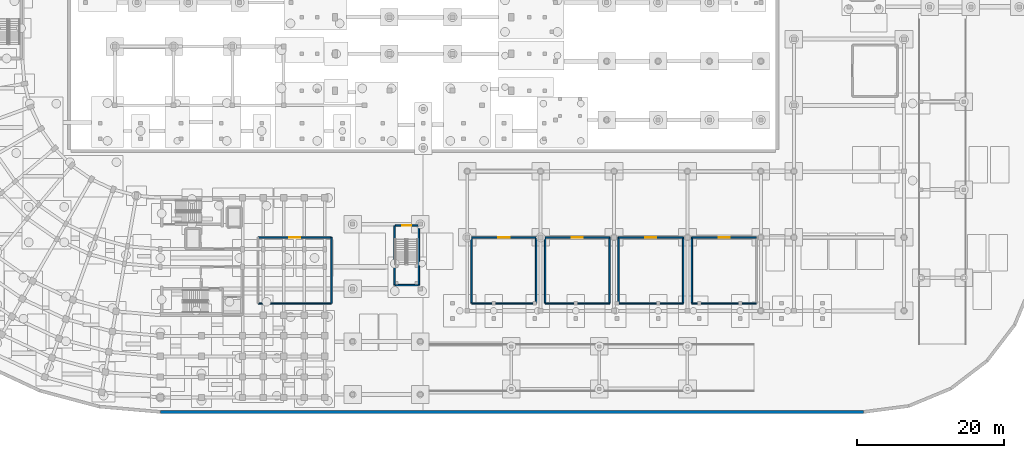
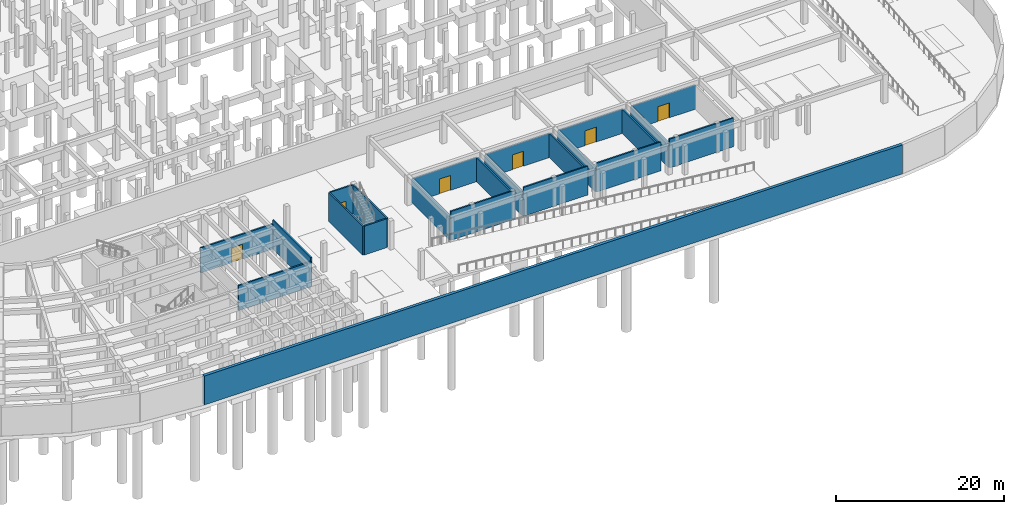
# One storey, part 31 of 53: 23 walls, 6 doors, 6 openings.
"""IFC4 building model written with IfcOpenShell, lengths in metres."""

from ifc_helpers import new_model, si_unit, direction, frame, frame_2d, origin, place, context, subcontext, project, spatial, rectangle, extrude, material, layer, layer_set, type_object, element, fill, save


model = new_model("IFC4")

# Units and contexts
model_context = context("Model", 3, precision=1e-05, world=origin(), true_north=direction((0.0, 1.0)))
body_context = subcontext(model_context, "Body", "Model", "MODEL_VIEW")
ifc_project = project(units=[si_unit("LENGTHUNIT", "METRE"), si_unit("AREAUNIT", "SQUARE_METRE"), si_unit("VOLUMEUNIT", "CUBIC_METRE"), si_unit("PLANEANGLEUNIT", "RADIAN"), si_unit("MASSUNIT", "GRAM", prefix="KILO")], contexts=[model_context])

# Site, building, storey
site_placement = place(None, origin())
site = spatial("IfcSite", under=ifc_project, at=site_placement, CompositionType="ELEMENT")
building_placement = place(site_placement, origin())
building = spatial("IfcBuilding", under=site, at=building_placement, Name="Kiranvali Square Residences", CompositionType="ELEMENT")
storey_placement = place(building_placement, frame((0.0, 0.0, -4.5)))
storey = spatial("IfcBuildingStorey", under=building, at=storey_placement, Name="B1", CompositionType="ELEMENT", Elevation=-4.5)

# Walls
ifc_material_1 = material(Name="Concrete M40 (40 MPa)", Category="concrete")
ifc_layer_1 = layer(ifc_material_1, 0.39990234375)
ifc_layer_set_1 = layer_set([ifc_layer_1], Name="Concrete M40 (40 MPa)")
wall_type_1 = type_object("IfcWallType", Name="WL-RET-400", PredefinedType="USERDEFINED", material=ifc_layer_set_1)
wall_1_placement = place(storey_placement, frame((48.22802734375, 0.219970703125, 0.0), z_axis=(0.0, 0.0, 1.0), x_axis=(1.0, 0.0, 0.0)))
element("IfcWall", 1, at=wall_1_placement, inside=storey, type_object=wall_type_1, Name="Shaped street-perimeter basement retaining wall 10", ObjectType="RETAINING WALL", PredefinedType="USERDEFINED", context=body_context, shape_type="SweptSolid", body=[
    extrude(rectangle(XDim=95.743896484375, YDim=0.39990234375, at=frame_2d((47.8720703125, 0.0))), origin(), (0.0, 0.0, 1.0), 4.199951171875),
])
ifc_material_2 = material(Name="Autoclaved aerated concrete blockwork masonry", Category="masonry")
ifc_layer_2 = layer(ifc_material_2, 0.199951171875)
ifc_layer_set_2 = layer_set([ifc_layer_2], Name="Autoclaved aerated concrete blockwork masonry")
wall_type_2 = type_object("IfcWallType", Name="WL-SHF-200", PredefinedType="STANDARD", material=ifc_layer_set_2)
wall_2_placement = place(storey_placement, frame((80.199951171875, 17.5, 0.0), z_axis=(0.0, 0.0, 1.0), x_axis=(1.0, 0.0, 0.0)))
element("IfcWall", 2, at=wall_2_placement, inside=storey, type_object=wall_type_2, Name="B1 architectural wall WL-B1-ST-P1-S", PredefinedType="STANDARD", context=body_context, shape_type="SweptSolid", body=[
    extrude(rectangle(XDim=3.10009765625, YDim=0.199951171875, at=frame_2d((1.550048828125, 0.0))), origin(), (0.0, 0.0, 1.0), 4.179931640625),
])
wall_3_placement = place(storey_placement, frame((83.39990234375, 17.5, 0.0), z_axis=(0.0, 0.0, 1.0), x_axis=(0.0, 1.0, 0.0)))
element("IfcWall", 3, at=wall_3_placement, inside=storey, type_object=wall_type_2, Name="B1 architectural wall WL-B1-ST-P1-E", PredefinedType="STANDARD", context=body_context, shape_type="SweptSolid", body=[
    extrude(rectangle(XDim=8.10009765625, YDim=0.199951171875, at=frame_2d((4.050048828125, 0.0))), origin(), (0.0, 0.0, 1.0), 4.179931640625),
])

# Wall, opening, door
wall_4_placement = place(storey_placement, frame((80.199951171875, 25.60009765625, 0.0), z_axis=(0.0, 0.0, 1.0), x_axis=(1.0, 0.0, 0.0)))
wall_4 = element("IfcWall", 4, at=wall_4_placement, inside=storey, type_object=wall_type_2, Name="B1 architectural wall WL-B1-ST-P1-N", PredefinedType="STANDARD", context=body_context, shape_type="SweptSolid", body=[
    extrude(rectangle(XDim=3.10009765625, YDim=0.199951171875, at=frame_2d((1.550048828125, 0.0))), origin(), (0.0, 0.0, 1.0), 4.179931640625),
])
opening_1_placement = place(wall_4_placement, frame((0.929931640625, 0.0, 0.0)))
opening_1 = element("IfcOpeningElement", 5, at=opening_1_placement, cuts=wall_4, Name="Opening FD-ST-120", PredefinedType="OPENING", context=body_context, shape_type="SweptSolid", body=[
    extrude(rectangle(XDim=1.239990234375, YDim=2.14990234375, at=frame_2d((0.6201171875, 1.074951171875))), frame((0.0, 0.10986328125, 0.0), z_axis=(0.0, -1.0, 0.0), x_axis=(1.0, 0.0, 0.0)), (0.0, 0.0, 1.0), 0.219970703125),
])
ifc_material_3 = material(Name="Fire-rated acoustic hardwood and mineral-core door assembly", Category="wood")
door_type_1 = type_object("IfcDoorType", Name="DR-FD120-1200", OperationType="NOTDEFINED", PredefinedType="DOOR", material=ifc_material_3)
door_1_placement = place(opening_1_placement, origin())
door_1 = element("IfcDoor", 6, at=door_1_placement, inside=storey, type_object=door_type_1, Name="B1 door DR-B1-0031 (DR-FD120-1200)", OperationType="SINGLE_SWING_LEFT", OverallHeight=2.14990234375, OverallWidth=1.239990234375, PredefinedType="DOOR", context=body_context, shape_type="SweptSolid", body=[
    extrude(rectangle(XDim=1.239990234375, YDim=2.14990234375, at=frame_2d((0.6201171875, 1.074951171875))), frame((0.0, 0.02490234375, 0.0), z_axis=(0.0, -1.0, 0.0), x_axis=(1.0, 0.0, 0.0)), (0.0, 0.0, 1.0), 0.050048828125),
])
fill(opening_1, door_1)

# Walls
wall_5_placement = place(storey_placement, frame((80.10009765625, 17.5, 0.0), z_axis=(0.0, 0.0, 1.0), x_axis=(0.0, 1.0, 0.0)))
element("IfcWall", 7, at=wall_5_placement, inside=storey, type_object=wall_type_2, Name="B1 architectural wall WL-B1-ST-P1-W", PredefinedType="STANDARD", context=body_context, shape_type="SweptSolid", body=[
    extrude(rectangle(XDim=8.10009765625, YDim=0.199951171875, at=frame_2d((4.050048828125, 0.0))), origin(), (0.0, 0.0, 1.0), 4.179931640625),
])
wall_6_placement = place(storey_placement, frame((61.5, 15.0, 0.0), z_axis=(0.0, 0.0, 1.0), x_axis=(1.0, 0.0, 0.0)))
element("IfcWall", 8, at=wall_6_placement, inside=storey, type_object=wall_type_2, Name="B1 architectural wall WL-B1-WTP-S", PredefinedType="STANDARD", context=body_context, shape_type="SweptSolid", body=[
    extrude(rectangle(XDim=10.0, YDim=0.199951171875, at=frame_2d((5.0, 0.0))), origin(), (0.0, 0.0, 1.0), 3.6220703125),
])
wall_7_placement = place(storey_placement, frame((71.5, 15.0, 0.0), z_axis=(0.0, 0.0, 1.0), x_axis=(0.0, 1.0, 0.0)))
element("IfcWall", 9, at=wall_7_placement, inside=storey, type_object=wall_type_2, Name="B1 architectural wall WL-B1-WTP-E", PredefinedType="STANDARD", context=body_context, shape_type="SweptSolid", body=[
    extrude(rectangle(XDim=9.0, YDim=0.199951171875, at=frame_2d((4.5, 0.0))), origin(), (0.0, 0.0, 1.0), 4.179931640625),
])

# Wall, opening, door
wall_8_placement = place(storey_placement, frame((71.5, 24.0, 0.0), z_axis=(0.0, 0.0, 1.0), x_axis=(-1.0, 0.0, 0.0)))
wall_8 = element("IfcWall", 10, at=wall_8_placement, inside=storey, type_object=wall_type_2, Name="B1 architectural wall WL-B1-WTP-N", PredefinedType="STANDARD", context=body_context, shape_type="SweptSolid", body=[
    extrude(rectangle(XDim=10.0, YDim=0.199951171875, at=frame_2d((5.0, 0.0))), origin(), (0.0, 0.0, 1.0), 3.6220703125),
])
opening_2_placement = place(wall_8_placement, frame((4.22998046875, 0.0, 0.0)))
opening_2 = element("IfcOpeningElement", 11, at=opening_2_placement, cuts=wall_8, Name="Opening SD-PLT-120", PredefinedType="OPENING", context=body_context, shape_type="SweptSolid", body=[
    extrude(rectangle(XDim=1.5400390625, YDim=2.14990234375, at=frame_2d((0.77001953125, 1.074951171875))), frame((0.0, 0.10986328125, 0.0), z_axis=(0.0, -1.0, 0.0), x_axis=(1.0, 0.0, 0.0)), (0.0, 0.0, 1.0), 0.219970703125),
])
ifc_material_4 = material(Name="Galvanised powder-coated steel roller shutter", Category="steel")
door_type_2 = type_object("IfcDoorType", Name="DR-STEEL-1500", OperationType="NOTDEFINED", PredefinedType="DOOR", material=ifc_material_4)
door_2_placement = place(opening_2_placement, frame((1.5400390625, 0.0, 0.0), z_axis=(0.0, 0.0, 1.0), x_axis=(-1.0, 0.0, 0.0)))
door_2 = element("IfcDoor", 12, at=door_2_placement, inside=storey, type_object=door_type_2, Name="B1 door DR-B1-0033 (DR-STEEL-1500)", OperationType="SINGLE_SWING_LEFT", OverallHeight=2.14990234375, OverallWidth=1.5400390625, PredefinedType="DOOR", context=body_context, shape_type="SweptSolid", body=[
    extrude(rectangle(XDim=1.5400390625, YDim=2.14990234375, at=frame_2d((0.77001953125, 1.074951171875))), frame((0.0, 0.02490234375, 0.0), z_axis=(0.0, -1.0, 0.0), x_axis=(1.0, 0.0, 0.0)), (0.0, 0.0, 1.0), 0.050048828125),
])
fill(opening_2, door_2)

# Walls
wall_9_placement = place(storey_placement, frame((90.60009765625, 15.0, 0.0), z_axis=(0.0, 0.0, 1.0), x_axis=(1.0, 0.0, 0.0)))
element("IfcWall", 13, at=wall_9_placement, inside=storey, type_object=wall_type_2, Name="B1 architectural wall WL-B1-PUMP-S", PredefinedType="STANDARD", context=body_context, shape_type="SweptSolid", body=[
    extrude(rectangle(XDim=8.7998046875, YDim=0.199951171875, at=frame_2d((4.39990234375, 0.0))), origin(), (0.0, 0.0, 1.0), 4.179931640625),
])
wall_10_placement = place(storey_placement, frame((99.39990234375, 15.0, 0.0), z_axis=(0.0, 0.0, 1.0), x_axis=(0.0, 1.0, 0.0)))
element("IfcWall", 14, at=wall_10_placement, inside=storey, type_object=wall_type_2, Name="B1 architectural wall WL-B1-PUMP-E", PredefinedType="STANDARD", context=body_context, shape_type="SweptSolid", body=[
    extrude(rectangle(XDim=9.0, YDim=0.199951171875, at=frame_2d((4.5, 0.0))), origin(), (0.0, 0.0, 1.0), 3.491943359375),
])

# Wall, opening, door
wall_11_placement = place(storey_placement, frame((99.39990234375, 24.0, 0.0), z_axis=(0.0, 0.0, 1.0), x_axis=(-1.0, 0.0, 0.0)))
wall_11 = element("IfcWall", 15, at=wall_11_placement, inside=storey, type_object=wall_type_2, Name="B1 architectural wall WL-B1-PUMP-N", PredefinedType="STANDARD", context=body_context, shape_type="SweptSolid", body=[
    extrude(rectangle(XDim=8.7998046875, YDim=0.199951171875, at=frame_2d((4.39990234375, 0.0))), origin(), (0.0, 0.0, 1.0), 3.491943359375),
])
opening_3_placement = place(wall_11_placement, frame((3.6298828125, 0.0, 0.0)))
opening_3 = element("IfcOpeningElement", 16, at=opening_3_placement, cuts=wall_11, Name="Opening SD-PLT-120", PredefinedType="OPENING", context=body_context, shape_type="SweptSolid", body=[
    extrude(rectangle(XDim=1.5400390625, YDim=2.14990234375, at=frame_2d((0.77001953125, 1.074951171875))), frame((0.0, 0.10986328125, 0.0), z_axis=(0.0, -1.0, 0.0), x_axis=(1.0, 0.0, 0.0)), (0.0, 0.0, 1.0), 0.219970703125),
])
door_3_placement = place(opening_3_placement, frame((1.5400390625, 0.0, 0.0), z_axis=(0.0, 0.0, 1.0), x_axis=(-1.0, 0.0, 0.0)))
door_3 = element("IfcDoor", 17, at=door_3_placement, inside=storey, type_object=door_type_2, Name="B1 door DR-B1-0034 (DR-STEEL-1500)", OperationType="SINGLE_SWING_RIGHT", OverallHeight=2.14990234375, OverallWidth=1.5400390625, PredefinedType="DOOR", context=body_context, shape_type="SweptSolid", body=[
    extrude(rectangle(XDim=1.5400390625, YDim=2.14990234375, at=frame_2d((0.77001953125, 1.074951171875))), frame((0.0, 0.02490234375, 0.0), z_axis=(0.0, -1.0, 0.0), x_axis=(1.0, 0.0, 0.0)), (0.0, 0.0, 1.0), 0.050048828125),
])
fill(opening_3, door_3)

# Walls
wall_12_placement = place(storey_placement, frame((90.60009765625, 24.0, 0.0), z_axis=(0.0, 0.0, 1.0), x_axis=(0.0, -1.0, 0.0)))
element("IfcWall", 18, at=wall_12_placement, inside=storey, type_object=wall_type_2, Name="B1 architectural wall WL-B1-PUMP-W", PredefinedType="STANDARD", context=body_context, shape_type="SweptSolid", body=[
    extrude(rectangle(XDim=9.0, YDim=0.199951171875, at=frame_2d((4.5, 0.0))), origin(), (0.0, 0.0, 1.0), 3.491943359375),
])
wall_13_placement = place(storey_placement, frame((100.60009765625, 15.0, 0.0), z_axis=(0.0, 0.0, 1.0), x_axis=(1.0, 0.0, 0.0)))
element("IfcWall", 19, at=wall_13_placement, inside=storey, type_object=wall_type_2, Name="B1 architectural wall WL-B1-STP-S", PredefinedType="STANDARD", context=body_context, shape_type="SweptSolid", body=[
    extrude(rectangle(XDim=8.7998046875, YDim=0.199951171875, at=frame_2d((4.39990234375, 0.0))), origin(), (0.0, 0.0, 1.0), 4.179931640625),
])
wall_14_placement = place(storey_placement, frame((109.39990234375, 15.0, 0.0), z_axis=(0.0, 0.0, 1.0), x_axis=(0.0, 1.0, 0.0)))
element("IfcWall", 20, at=wall_14_placement, inside=storey, type_object=wall_type_2, Name="B1 architectural wall WL-B1-STP-E", PredefinedType="STANDARD", context=body_context, shape_type="SweptSolid", body=[
    extrude(rectangle(XDim=9.0, YDim=0.199951171875, at=frame_2d((4.5, 0.0))), origin(), (0.0, 0.0, 1.0), 3.491943359375),
])

# Wall, opening, door
wall_15_placement = place(storey_placement, frame((109.39990234375, 24.0, 0.0), z_axis=(0.0, 0.0, 1.0), x_axis=(-1.0, 0.0, 0.0)))
wall_15 = element("IfcWall", 21, at=wall_15_placement, inside=storey, type_object=wall_type_2, Name="B1 architectural wall WL-B1-STP-N", PredefinedType="STANDARD", context=body_context, shape_type="SweptSolid", body=[
    extrude(rectangle(XDim=8.7998046875, YDim=0.199951171875, at=frame_2d((4.39990234375, 0.0))), origin(), (0.0, 0.0, 1.0), 3.491943359375),
])
opening_4_placement = place(wall_15_placement, frame((3.6298828125, 0.0, 0.0)))
opening_4 = element("IfcOpeningElement", 22, at=opening_4_placement, cuts=wall_15, Name="Opening SD-PLT-120", PredefinedType="OPENING", context=body_context, shape_type="SweptSolid", body=[
    extrude(rectangle(XDim=1.5400390625, YDim=2.14990234375, at=frame_2d((0.77001953125, 1.074951171875))), frame((0.0, 0.10986328125, 0.0), z_axis=(0.0, -1.0, 0.0), x_axis=(1.0, 0.0, 0.0)), (0.0, 0.0, 1.0), 0.219970703125),
])
door_4_placement = place(opening_4_placement, frame((1.5400390625, 0.0, 0.0), z_axis=(0.0, 0.0, 1.0), x_axis=(-1.0, 0.0, 0.0)))
door_4 = element("IfcDoor", 23, at=door_4_placement, inside=storey, type_object=door_type_2, Name="B1 door DR-B1-0035 (DR-STEEL-1500)", OperationType="SINGLE_SWING_LEFT", OverallHeight=2.14990234375, OverallWidth=1.5400390625, PredefinedType="DOOR", context=body_context, shape_type="SweptSolid", body=[
    extrude(rectangle(XDim=1.5400390625, YDim=2.14990234375, at=frame_2d((0.77001953125, 1.074951171875))), frame((0.0, 0.02490234375, 0.0), z_axis=(0.0, -1.0, 0.0), x_axis=(1.0, 0.0, 0.0)), (0.0, 0.0, 1.0), 0.050048828125),
])
fill(opening_4, door_4)

# Walls
wall_16_placement = place(storey_placement, frame((100.60009765625, 24.0, 0.0), z_axis=(0.0, 0.0, 1.0), x_axis=(0.0, -1.0, 0.0)))
element("IfcWall", 24, at=wall_16_placement, inside=storey, type_object=wall_type_2, Name="B1 architectural wall WL-B1-STP-W", PredefinedType="STANDARD", context=body_context, shape_type="SweptSolid", body=[
    extrude(rectangle(XDim=9.0, YDim=0.199951171875, at=frame_2d((4.5, 0.0))), origin(), (0.0, 0.0, 1.0), 3.491943359375),
])
wall_17_placement = place(storey_placement, frame((110.60009765625, 15.0, 0.0), z_axis=(0.0, 0.0, 1.0), x_axis=(1.0, 0.0, 0.0)))
element("IfcWall", 25, at=wall_17_placement, inside=storey, type_object=wall_type_2, Name="B1 architectural wall WL-B1-ELEC-S", PredefinedType="STANDARD", context=body_context, shape_type="SweptSolid", body=[
    extrude(rectangle(XDim=8.7998046875, YDim=0.199951171875, at=frame_2d((4.39990234375, 0.0))), origin(), (0.0, 0.0, 1.0), 4.179931640625),
])
wall_18_placement = place(storey_placement, frame((119.39990234375, 15.0, 0.0), z_axis=(0.0, 0.0, 1.0), x_axis=(0.0, 1.0, 0.0)))
element("IfcWall", 26, at=wall_18_placement, inside=storey, type_object=wall_type_2, Name="B1 architectural wall WL-B1-ELEC-E", PredefinedType="STANDARD", context=body_context, shape_type="SweptSolid", body=[
    extrude(rectangle(XDim=9.0, YDim=0.199951171875, at=frame_2d((4.5, 0.0))), origin(), (0.0, 0.0, 1.0), 3.491943359375),
])

# Wall, opening, door
wall_19_placement = place(storey_placement, frame((119.39990234375, 24.0, 0.0), z_axis=(0.0, 0.0, 1.0), x_axis=(-1.0, 0.0, 0.0)))
wall_19 = element("IfcWall", 27, at=wall_19_placement, inside=storey, type_object=wall_type_2, Name="B1 architectural wall WL-B1-ELEC-N", PredefinedType="STANDARD", context=body_context, shape_type="SweptSolid", body=[
    extrude(rectangle(XDim=8.7998046875, YDim=0.199951171875, at=frame_2d((4.39990234375, 0.0))), origin(), (0.0, 0.0, 1.0), 3.491943359375),
])
opening_5_placement = place(wall_19_placement, frame((3.6298828125, 0.0, 0.0)))
opening_5 = element("IfcOpeningElement", 28, at=opening_5_placement, cuts=wall_19, Name="Opening SD-PLT-120", PredefinedType="OPENING", context=body_context, shape_type="SweptSolid", body=[
    extrude(rectangle(XDim=1.5400390625, YDim=2.14990234375, at=frame_2d((0.77001953125, 1.074951171875))), frame((0.0, 0.10986328125, 0.0), z_axis=(0.0, -1.0, 0.0), x_axis=(1.0, 0.0, 0.0)), (0.0, 0.0, 1.0), 0.219970703125),
])
door_5_placement = place(opening_5_placement, frame((1.5400390625, 0.0, 0.0), z_axis=(0.0, 0.0, 1.0), x_axis=(-1.0, 0.0, 0.0)))
door_5 = element("IfcDoor", 29, at=door_5_placement, inside=storey, type_object=door_type_2, Name="B1 door DR-B1-0036 (DR-STEEL-1500)", OperationType="SINGLE_SWING_RIGHT", OverallHeight=2.14990234375, OverallWidth=1.5400390625, PredefinedType="DOOR", context=body_context, shape_type="SweptSolid", body=[
    extrude(rectangle(XDim=1.5400390625, YDim=2.14990234375, at=frame_2d((0.77001953125, 1.074951171875))), frame((0.0, 0.02490234375, 0.0), z_axis=(0.0, -1.0, 0.0), x_axis=(1.0, 0.0, 0.0)), (0.0, 0.0, 1.0), 0.050048828125),
])
fill(opening_5, door_5)

# Walls
wall_20_placement = place(storey_placement, frame((110.60009765625, 24.0, 0.0), z_axis=(0.0, 0.0, 1.0), x_axis=(0.0, -1.0, 0.0)))
element("IfcWall", 30, at=wall_20_placement, inside=storey, type_object=wall_type_2, Name="B1 architectural wall WL-B1-ELEC-W", PredefinedType="STANDARD", context=body_context, shape_type="SweptSolid", body=[
    extrude(rectangle(XDim=9.0, YDim=0.199951171875, at=frame_2d((4.5, 0.0))), origin(), (0.0, 0.0, 1.0), 3.491943359375),
])
wall_21_placement = place(storey_placement, frame((120.60009765625, 15.0, 0.0), z_axis=(0.0, 0.0, 1.0), x_axis=(1.0, 0.0, 0.0)))
element("IfcWall", 31, at=wall_21_placement, inside=storey, type_object=wall_type_2, Name="B1 architectural wall WL-B1-STR-MNT-S", PredefinedType="STANDARD", context=body_context, shape_type="SweptSolid", body=[
    extrude(rectangle(XDim=8.7998046875, YDim=0.199951171875, at=frame_2d((4.39990234375, 0.0))), origin(), (0.0, 0.0, 1.0), 4.179931640625),
])

# Wall, opening, door
wall_22_placement = place(storey_placement, frame((129.39990234375, 24.0, 0.0), z_axis=(0.0, 0.0, 1.0), x_axis=(-1.0, 0.0, 0.0)))
wall_22 = element("IfcWall", 32, at=wall_22_placement, inside=storey, type_object=wall_type_2, Name="B1 architectural wall WL-B1-STR-MNT-N", PredefinedType="STANDARD", context=body_context, shape_type="SweptSolid", body=[
    extrude(rectangle(XDim=8.7998046875, YDim=0.199951171875, at=frame_2d((4.39990234375, 0.0))), origin(), (0.0, 0.0, 1.0), 3.491943359375),
])
opening_6_placement = place(wall_22_placement, frame((3.6298828125, 0.0, 0.0)))
opening_6 = element("IfcOpeningElement", 33, at=opening_6_placement, cuts=wall_22, Name="Opening SD-PLT-120", PredefinedType="OPENING", context=body_context, shape_type="SweptSolid", body=[
    extrude(rectangle(XDim=1.5400390625, YDim=2.14990234375, at=frame_2d((0.77001953125, 1.074951171875))), frame((0.0, 0.10986328125, 0.0), z_axis=(0.0, -1.0, 0.0), x_axis=(1.0, 0.0, 0.0)), (0.0, 0.0, 1.0), 0.219970703125),
])
door_6_placement = place(opening_6_placement, frame((1.5400390625, 0.0, 0.0), z_axis=(0.0, 0.0, 1.0), x_axis=(-1.0, 0.0, 0.0)))
door_6 = element("IfcDoor", 34, at=door_6_placement, inside=storey, type_object=door_type_2, Name="B1 door DR-B1-0042 (DR-STEEL-1500)", OperationType="SINGLE_SWING_RIGHT", OverallHeight=2.14990234375, OverallWidth=1.5400390625, PredefinedType="DOOR", context=body_context, shape_type="SweptSolid", body=[
    extrude(rectangle(XDim=1.5400390625, YDim=2.14990234375, at=frame_2d((0.77001953125, 1.074951171875))), frame((0.0, 0.02490234375, 0.0), z_axis=(0.0, -1.0, 0.0), x_axis=(1.0, 0.0, 0.0)), (0.0, 0.0, 1.0), 0.050048828125),
])
fill(opening_6, door_6)

# Wall
wall_23_placement = place(storey_placement, frame((120.60009765625, 24.0, 0.0), z_axis=(0.0, 0.0, 1.0), x_axis=(0.0, -1.0, 0.0)))
element("IfcWall", 35, at=wall_23_placement, inside=storey, type_object=wall_type_2, Name="B1 architectural wall WL-B1-STR-MNT-W", PredefinedType="STANDARD", context=body_context, shape_type="SweptSolid", body=[
    extrude(rectangle(XDim=9.0, YDim=0.199951171875, at=frame_2d((4.5, 0.0))), origin(), (0.0, 0.0, 1.0), 3.491943359375),
])

save(model, "model.ifc")
